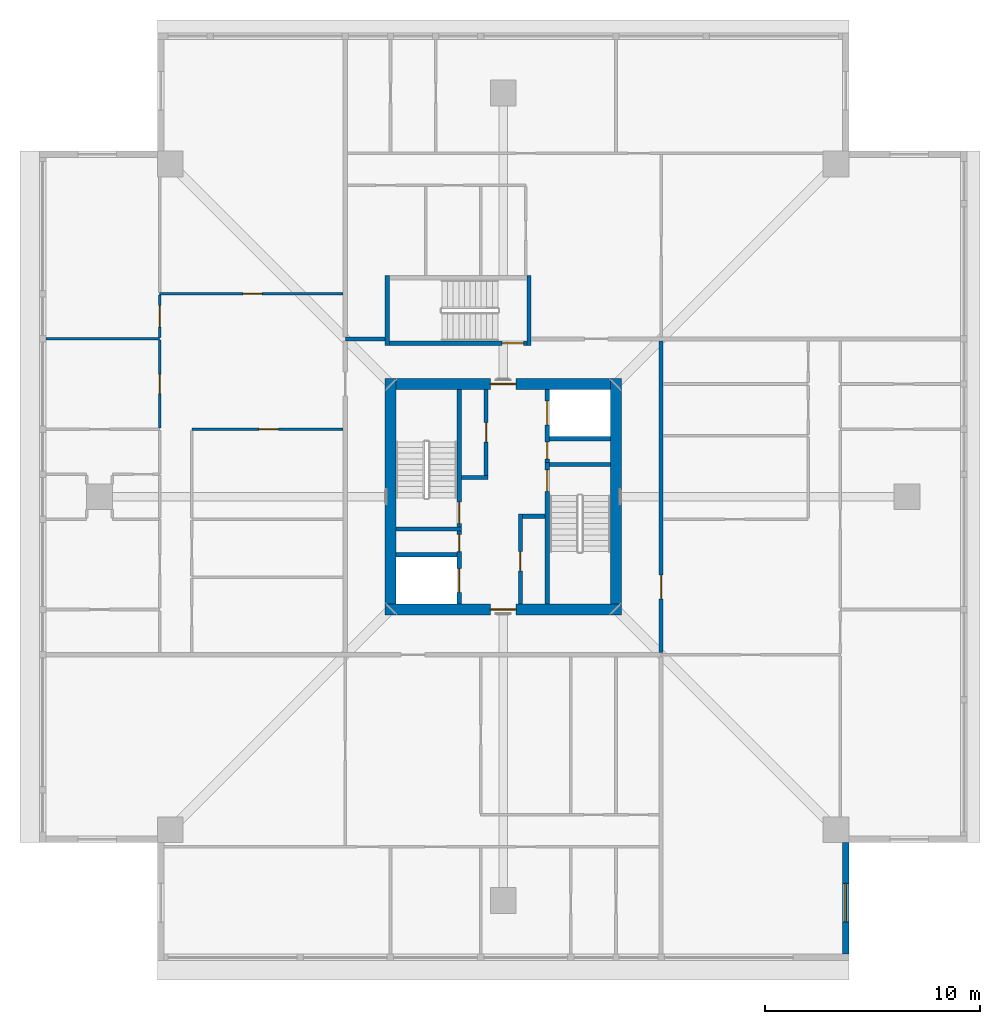
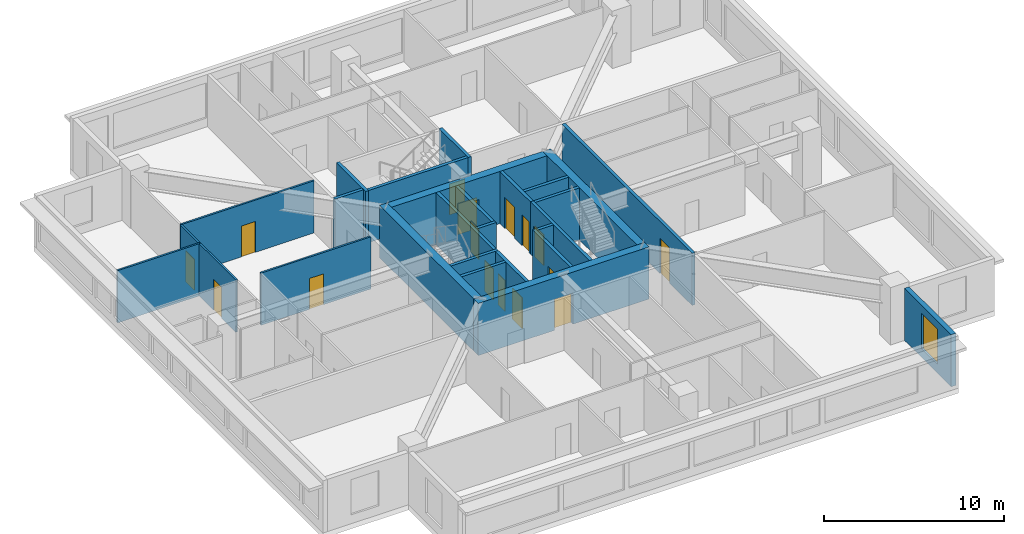
# One storey, part 6 of 12: 27 walls, 16 doors, 1 window, 17 openings.
"""IFC4 building model written with IfcOpenShell, lengths in metres."""

from ifc_helpers import new_model, si_unit, direction, frame, frame_2d, origin, place, context, subcontext, project, spatial, rectangle, extrude, material, layer, layer_set, type_object, element, fill, save


model = new_model("IFC4")

# Units and contexts
model_context = context("Model", 3, precision=1e-05, world=origin(), true_north=direction((0.0, 1.0)))
body_context = subcontext(model_context, "Body", "Model", "MODEL_VIEW")
ifc_project = project(units=[si_unit("LENGTHUNIT", "METRE"), si_unit("AREAUNIT", "SQUARE_METRE"), si_unit("VOLUMEUNIT", "CUBIC_METRE"), si_unit("PLANEANGLEUNIT", "RADIAN"), si_unit("MASSUNIT", "GRAM", prefix="KILO")], contexts=[model_context])

# Site, building, storey
site_placement = place(None, origin())
site = spatial("IfcSite", under=ifc_project, at=site_placement, CompositionType="ELEMENT")
building_placement = place(site_placement, origin())
building = spatial("IfcBuilding", under=site, at=building_placement, Name="Khepri Terraces", CompositionType="ELEMENT")
storey_placement = place(building_placement, frame((0.0, 0.0, 296.699951171875)))
storey = spatial("IfcBuildingStorey", under=building, at=storey_placement, Name="L71", CompositionType="ELEMENT", Elevation=296.699951171875)

# Wall, opening, door
ifc_material_1 = material(Name="Concrete C40/50", Category="concrete")
ifc_layer_1 = layer(ifc_material_1, 0.199951171875, Name="Concrete C40/50", Category="concrete")
ifc_layer_set_1 = layer_set([ifc_layer_1], Name="Concrete C40/50")
wall_type_1 = type_object("IfcWallType", Name="Core wall 200 C40/50", PredefinedType="SHEAR", material=ifc_layer_set_1)
wall_1_placement = place(storey_placement, frame((2.050048828125, -5.0, 0.0), z_axis=(0.0, 0.0, 1.0), x_axis=(0.0, 1.0, 0.0)))
wall_1 = element("IfcWall", 1, at=wall_1_placement, inside=storey, type_object=wall_type_1, Name="Core wall ST01 L71", PredefinedType="SHEAR", context=body_context, shape_type="SweptSolid", body=[
    extrude(rectangle(XDim=6.60009765625, YDim=0.199951171875, at=frame_2d((3.300048828125, 0.0))), origin(), (0.0, 0.0, 1.0), 3.550048828125),
])
opening_1_placement = place(wall_1_placement, frame((5.25, 0.0, 0.0)))
opening_1 = element("IfcOpeningElement", 2, at=opening_1_placement, cuts=wall_1, Name="Opening L71-C04", PredefinedType="OPENING", context=body_context, shape_type="SweptSolid", body=[
    extrude(rectangle(XDim=1.0, YDim=2.10009765625, at=frame_2d((0.5, 1.050048828125))), frame((0.0, 0.10986328125, 0.0), z_axis=(0.0, -1.0, 0.0), x_axis=(1.0, 0.0, 0.0)), (0.0, 0.0, 1.0), 0.219970703125),
])
ifc_material_2 = material(Name="Painted steel", Category="steel")
door_type_1 = type_object("IfcDoorType", Name="DR-CORE-STAIR-1000", OperationType="NOTDEFINED", PredefinedType="DOOR", material=ifc_material_2)
door_1_placement = place(opening_1_placement, frame((1.0, 0.0, 0.0), z_axis=(0.0, 0.0, 1.0), x_axis=(-1.0, 0.0, 0.0)))
door_1 = element("IfcDoor", 3, at=door_1_placement, inside=storey, type_object=door_type_1, Name="Stair door L71-C04", OperationType="SINGLE_SWING_LEFT", OverallHeight=2.10009765625, OverallWidth=1.0, PredefinedType="DOOR", context=body_context, shape_type="SweptSolid", body=[
    extrude(rectangle(XDim=1.0, YDim=2.10009765625, at=frame_2d((0.5, 1.050048828125))), frame((0.0, 0.02490234375, 0.0), z_axis=(0.0, -1.0, 0.0), x_axis=(1.0, 0.0, 0.0)), (0.0, 0.0, 1.0), 0.050048828125),
])
fill(opening_1, door_1)

# Wall
wall_2_placement = place(storey_placement, frame((-5.0, -1.5, 0.0), z_axis=(0.0, 0.0, 1.0), x_axis=(1.0, 0.0, 0.0)))
element("IfcWall", 4, at=wall_2_placement, inside=storey, type_object=wall_type_1, Name="Core wall ST02 L71", PredefinedType="SHEAR", context=body_context, shape_type="SweptSolid", body=[
    extrude(rectangle(XDim=3.050048828125, YDim=0.199951171875, at=frame_2d((1.52490234375, 0.0))), origin(), (0.0, 0.0, 1.0), 3.550048828125),
])

# Wall, opening, door
wall_3_placement = place(storey_placement, frame((-2.050048828125, -1.39990234375, 0.0), z_axis=(0.0, 0.0, 1.0), x_axis=(0.0, 1.0, 0.0)))
wall_3 = element("IfcWall", 5, at=wall_3_placement, inside=storey, type_object=wall_type_1, Name="Core wall ST03 L71", PredefinedType="SHEAR", context=body_context, shape_type="SweptSolid", body=[
    extrude(rectangle(XDim=6.39990234375, YDim=0.199951171875, at=frame_2d((3.199951171875, 0.0))), origin(), (0.0, 0.0, 1.0), 3.550048828125),
])
opening_2_placement = place(wall_3_placement, frame((0.14990234375, 0.0, 0.0)))
opening_2 = element("IfcOpeningElement", 6, at=opening_2_placement, cuts=wall_3, Name="Opening L71-C03", PredefinedType="OPENING", context=body_context, shape_type="SweptSolid", body=[
    extrude(rectangle(XDim=1.0, YDim=2.10009765625, at=frame_2d((0.5, 1.050048828125))), frame((0.0, 0.10986328125, 0.0), z_axis=(0.0, -1.0, 0.0), x_axis=(1.0, 0.0, 0.0)), (0.0, 0.0, 1.0), 0.219970703125),
])
door_2_placement = place(opening_2_placement, origin())
door_2 = element("IfcDoor", 7, at=door_2_placement, inside=storey, type_object=door_type_1, Name="Stair door L71-C03", OperationType="SINGLE_SWING_LEFT", OverallHeight=2.10009765625, OverallWidth=1.0, PredefinedType="DOOR", context=body_context, shape_type="SweptSolid", body=[
    extrude(rectangle(XDim=1.0, YDim=2.10009765625, at=frame_2d((0.5, 1.050048828125))), frame((0.0, 0.02490234375, 0.0), z_axis=(0.0, -1.0, 0.0), x_axis=(1.0, 0.0, 0.0)), (0.0, 0.0, 1.0), 0.050048828125),
])
fill(opening_2, door_2)

# Wall
wall_4_placement = place(storey_placement, frame((2.14990234375, 1.5, 0.0), z_axis=(0.0, 0.0, 1.0), x_axis=(1.0, 0.0, 0.0)))
element("IfcWall", 8, at=wall_4_placement, inside=storey, type_object=wall_type_1, Name="Core wall ST04 L71", PredefinedType="SHEAR", context=body_context, shape_type="SweptSolid", body=[
    extrude(rectangle(XDim=2.85009765625, YDim=0.199951171875, at=frame_2d((1.425048828125, 0.0))), origin(), (0.0, 0.0, 1.0), 3.550048828125),
])

# Wall, openings, doors
wall_5_placement = place(storey_placement, frame((-2.050048828125, -5.0, 0.0), z_axis=(0.0, 0.0, 1.0), x_axis=(0.0, 1.0, 0.0)))
wall_5 = element("IfcWall", 9, at=wall_5_placement, inside=storey, type_object=wall_type_1, Name="Core wall SH01 L71", PredefinedType="SHEAR", context=body_context, shape_type="SweptSolid", body=[
    extrude(rectangle(XDim=3.39990234375, YDim=0.199951171875, at=frame_2d((1.699951171875, 0.0))), origin(), (0.0, 0.0, 1.0), 3.550048828125),
])
opening_3_placement = place(wall_5_placement, frame((0.550048828125, 0.0, 0.0)))
opening_3 = element("IfcOpeningElement", 10, at=opening_3_placement, cuts=wall_5, Name="Opening L71-C02", PredefinedType="OPENING", context=body_context, shape_type="SweptSolid", body=[
    extrude(rectangle(XDim=1.10009765625, YDim=2.10009765625, at=frame_2d((0.550048828125, 1.050048828125))), frame((0.0, 0.10986328125, 0.0), z_axis=(0.0, -1.0, 0.0), x_axis=(1.0, 0.0, 0.0)), (0.0, 0.0, 1.0), 0.219970703125),
])
opening_4_placement = place(wall_5_placement, frame((2.449951171875, 0.0, 0.0)))
opening_4 = element("IfcOpeningElement", 11, at=opening_4_placement, cuts=wall_5, Name="Opening L71-C06", PredefinedType="OPENING", context=body_context, shape_type="SweptSolid", body=[
    extrude(rectangle(XDim=0.800048828125, YDim=2.10009765625, at=frame_2d((0.39990234375, 1.050048828125))), frame((0.0, 0.10986328125, 0.0), z_axis=(0.0, -1.0, 0.0), x_axis=(1.0, 0.0, 0.0)), (0.0, 0.0, 1.0), 0.219970703125),
])
ifc_material_3 = material(Name="Stainless steel 304", Category="steel")
door_type_2 = type_object("IfcDoorType", Name="DR-CORE-FF-LANDING-1100", OperationType="NOTDEFINED", PredefinedType="DOOR", material=ifc_material_3)
door_3_placement = place(opening_3_placement, origin())
door_3 = element("IfcDoor", 12, at=door_3_placement, inside=storey, type_object=door_type_2, Name="Firefighting lift landing door L71-C02", OperationType="SLIDING_TO_LEFT", OverallHeight=2.10009765625, OverallWidth=1.10009765625, PredefinedType="DOOR", context=body_context, shape_type="SweptSolid", body=[
    extrude(rectangle(XDim=1.10009765625, YDim=2.10009765625, at=frame_2d((0.550048828125, 1.050048828125))), frame((0.0, 0.02490234375, 0.0), z_axis=(0.0, -1.0, 0.0), x_axis=(1.0, 0.0, 0.0)), (0.0, 0.0, 1.0), 0.050048828125),
])
fill(opening_3, door_3)
door_type_3 = type_object("IfcDoorType", Name="DR-CORE-RISER-800", OperationType="NOTDEFINED", PredefinedType="DOOR", material=ifc_material_2)
door_4_placement = place(opening_4_placement, origin())
door_4 = element("IfcDoor", 13, at=door_4_placement, inside=storey, type_object=door_type_3, Name="Riser door L71-C06", OperationType="SINGLE_SWING_RIGHT", OverallHeight=2.10009765625, OverallWidth=0.800048828125, PredefinedType="DOOR", context=body_context, shape_type="SweptSolid", body=[
    extrude(rectangle(XDim=0.800048828125, YDim=2.10009765625, at=frame_2d((0.39990234375, 1.050048828125))), frame((0.0, 0.02490234375, 0.0), z_axis=(0.0, -1.0, 0.0), x_axis=(1.0, 0.0, 0.0)), (0.0, 0.0, 1.0), 0.050048828125),
])
fill(opening_4, door_4)

# Wall, opening, door
wall_6_placement = place(storey_placement, frame((0.800048828125, -5.0, 0.0), z_axis=(0.0, 0.0, 1.0), x_axis=(0.0, 1.0, 0.0)))
wall_6 = element("IfcWall", 14, at=wall_6_placement, inside=storey, type_object=wall_type_1, Name="Core wall SH02 L71", PredefinedType="SHEAR", context=body_context, shape_type="SweptSolid", body=[
    extrude(rectangle(XDim=4.199951171875, YDim=0.199951171875, at=frame_2d((2.10009765625, 0.0))), origin(), (0.0, 0.0, 1.0), 3.550048828125),
])
opening_5_placement = place(wall_6_placement, frame((1.550048828125, 0.0, 0.0)))
opening_5 = element("IfcOpeningElement", 15, at=opening_5_placement, cuts=wall_6, Name="Opening L71-C09", PredefinedType="OPENING", context=body_context, shape_type="SweptSolid", body=[
    extrude(rectangle(XDim=0.89990234375, YDim=2.10009765625, at=frame_2d((0.449951171875, 1.050048828125))), frame((0.0, 0.10986328125, 0.0), z_axis=(0.0, -1.0, 0.0), x_axis=(1.0, 0.0, 0.0)), (0.0, 0.0, 1.0), 0.219970703125),
])
door_type_4 = type_object("IfcDoorType", Name="DR-CORE-SERVICE-900", OperationType="NOTDEFINED", PredefinedType="DOOR", material=ifc_material_2)
door_5_placement = place(opening_5_placement, frame((0.89990234375, 0.0, 0.0), z_axis=(0.0, 0.0, 1.0), x_axis=(-1.0, 0.0, 0.0)))
door_5 = element("IfcDoor", 16, at=door_5_placement, inside=storey, type_object=door_type_4, Name="Service room door L71-C09", OperationType="SINGLE_SWING_RIGHT", OverallHeight=2.10009765625, OverallWidth=0.89990234375, PredefinedType="DOOR", context=body_context, shape_type="SweptSolid", body=[
    extrude(rectangle(XDim=0.89990234375, YDim=2.10009765625, at=frame_2d((0.449951171875, 1.050048828125))), frame((0.0, 0.02490234375, 0.0), z_axis=(0.0, -1.0, 0.0), x_axis=(1.0, 0.0, 0.0)), (0.0, 0.0, 1.0), 0.050048828125),
])
fill(opening_5, door_5)

# Walls
wall_7_placement = place(storey_placement, frame((-5.0, -2.699951171875, 0.0), z_axis=(0.0, 0.0, 1.0), x_axis=(1.0, 0.0, 0.0)))
element("IfcWall", 17, at=wall_7_placement, inside=storey, type_object=wall_type_1, Name="Core wall SH03 L71", PredefinedType="SHEAR", context=body_context, shape_type="SweptSolid", body=[
    extrude(rectangle(XDim=2.85009765625, YDim=0.199951171875, at=frame_2d((1.425048828125, 0.0))), origin(), (0.0, 0.0, 1.0), 3.550048828125),
])
wall_8_placement = place(storey_placement, frame((0.89990234375, -0.89990234375, 0.0), z_axis=(0.0, 0.0, 1.0), x_axis=(1.0, 0.0, 0.0)))
element("IfcWall", 18, at=wall_8_placement, inside=storey, type_object=wall_type_1, Name="Core wall SH04 L71", PredefinedType="SHEAR", context=body_context, shape_type="SweptSolid", body=[
    extrude(rectangle(XDim=1.050048828125, YDim=0.199951171875, at=frame_2d((0.52490234375, 0.0))), origin(), (0.0, 0.0, 1.0), 3.550048828125),
])
wall_9_placement = place(storey_placement, frame((-1.949951171875, 0.89990234375, 0.0), z_axis=(0.0, 0.0, 1.0), x_axis=(1.0, 0.0, 0.0)))
element("IfcWall", 19, at=wall_9_placement, inside=storey, type_object=wall_type_1, Name="Core wall SH05 L71", PredefinedType="SHEAR", context=body_context, shape_type="SweptSolid", body=[
    extrude(rectangle(XDim=1.25, YDim=0.199951171875, at=frame_2d((0.625, 0.0))), origin(), (0.0, 0.0, 1.0), 3.550048828125),
])

# Wall, opening, door
wall_10_placement = place(storey_placement, frame((-0.800048828125, 1.0, 0.0), z_axis=(0.0, 0.0, 1.0), x_axis=(0.0, 1.0, 0.0)))
wall_10 = element("IfcWall", 20, at=wall_10_placement, inside=storey, type_object=wall_type_1, Name="Core wall SH06 L71", PredefinedType="SHEAR", context=body_context, shape_type="SweptSolid", body=[
    extrude(rectangle(XDim=4.0, YDim=0.199951171875, at=frame_2d((2.0, 0.0))), origin(), (0.0, 0.0, 1.0), 3.550048828125),
])
opening_6_placement = place(wall_10_placement, frame((1.550048828125, 0.0, 0.0)))
opening_6 = element("IfcOpeningElement", 21, at=opening_6_placement, cuts=wall_10, Name="Opening L71-C08", PredefinedType="OPENING", context=body_context, shape_type="SweptSolid", body=[
    extrude(rectangle(XDim=0.89990234375, YDim=2.10009765625, at=frame_2d((0.449951171875, 1.050048828125))), frame((0.0, 0.10986328125, 0.0), z_axis=(0.0, -1.0, 0.0), x_axis=(1.0, 0.0, 0.0)), (0.0, 0.0, 1.0), 0.219970703125),
])
door_6_placement = place(opening_6_placement, origin())
door_6 = element("IfcDoor", 22, at=door_6_placement, inside=storey, type_object=door_type_4, Name="Service room door L71-C08", OperationType="SINGLE_SWING_RIGHT", OverallHeight=2.10009765625, OverallWidth=0.89990234375, PredefinedType="DOOR", context=body_context, shape_type="SweptSolid", body=[
    extrude(rectangle(XDim=0.89990234375, YDim=2.10009765625, at=frame_2d((0.449951171875, 1.050048828125))), frame((0.0, 0.02490234375, 0.0), z_axis=(0.0, -1.0, 0.0), x_axis=(1.0, 0.0, 0.0)), (0.0, 0.0, 1.0), 0.050048828125),
])
fill(opening_6, door_6)

# Wall, openings, doors
wall_11_placement = place(storey_placement, frame((2.050048828125, 1.60009765625, 0.0), z_axis=(0.0, 0.0, 1.0), x_axis=(0.0, 1.0, 0.0)))
wall_11 = element("IfcWall", 23, at=wall_11_placement, inside=storey, type_object=wall_type_1, Name="Core wall SH07 L71", PredefinedType="SHEAR", context=body_context, shape_type="SweptSolid", body=[
    extrude(rectangle(XDim=3.39990234375, YDim=0.199951171875, at=frame_2d((1.699951171875, 0.0))), origin(), (0.0, 0.0, 1.0), 3.550048828125),
])
opening_7_placement = place(wall_11_placement, frame((1.75, 0.0, 0.0)))
opening_7 = element("IfcOpeningElement", 24, at=opening_7_placement, cuts=wall_11, Name="Opening L71-C01", PredefinedType="OPENING", context=body_context, shape_type="SweptSolid", body=[
    extrude(rectangle(XDim=1.10009765625, YDim=2.10009765625, at=frame_2d((0.550048828125, 1.050048828125))), frame((0.0, 0.10986328125, 0.0), z_axis=(0.0, -1.0, 0.0), x_axis=(1.0, 0.0, 0.0)), (0.0, 0.0, 1.0), 0.219970703125),
])
opening_8_placement = place(wall_11_placement, frame((0.14990234375, 0.0, 0.0)))
opening_8 = element("IfcOpeningElement", 25, at=opening_8_placement, cuts=wall_11, Name="Opening L71-C05", PredefinedType="OPENING", context=body_context, shape_type="SweptSolid", body=[
    extrude(rectangle(XDim=0.800048828125, YDim=2.10009765625, at=frame_2d((0.39990234375, 1.050048828125))), frame((0.0, 0.10986328125, 0.0), z_axis=(0.0, -1.0, 0.0), x_axis=(1.0, 0.0, 0.0)), (0.0, 0.0, 1.0), 0.219970703125),
])
door_7_placement = place(opening_7_placement, origin())
door_7 = element("IfcDoor", 26, at=door_7_placement, inside=storey, type_object=door_type_2, Name="Firefighting lift landing door L71-C01", OperationType="SLIDING_TO_LEFT", OverallHeight=2.10009765625, OverallWidth=1.10009765625, PredefinedType="DOOR", context=body_context, shape_type="SweptSolid", body=[
    extrude(rectangle(XDim=1.10009765625, YDim=2.10009765625, at=frame_2d((0.550048828125, 1.050048828125))), frame((0.0, 0.02490234375, 0.0), z_axis=(0.0, -1.0, 0.0), x_axis=(1.0, 0.0, 0.0)), (0.0, 0.0, 1.0), 0.050048828125),
])
fill(opening_7, door_7)
door_8_placement = place(opening_8_placement, frame((0.800048828125, 0.0, 0.0), z_axis=(0.0, 0.0, 1.0), x_axis=(-1.0, 0.0, 0.0)))
door_8 = element("IfcDoor", 27, at=door_8_placement, inside=storey, type_object=door_type_3, Name="Riser door L71-C05", OperationType="SINGLE_SWING_RIGHT", OverallHeight=2.10009765625, OverallWidth=0.800048828125, PredefinedType="DOOR", context=body_context, shape_type="SweptSolid", body=[
    extrude(rectangle(XDim=0.800048828125, YDim=2.10009765625, at=frame_2d((0.39990234375, 1.050048828125))), frame((0.0, 0.02490234375, 0.0), z_axis=(0.0, -1.0, 0.0), x_axis=(1.0, 0.0, 0.0)), (0.0, 0.0, 1.0), 0.050048828125),
])
fill(opening_8, door_8)

# Walls
wall_12_placement = place(storey_placement, frame((2.14990234375, 2.699951171875, 0.0), z_axis=(0.0, 0.0, 1.0), x_axis=(1.0, 0.0, 0.0)))
element("IfcWall", 28, at=wall_12_placement, inside=storey, type_object=wall_type_1, Name="Core wall SH08 L71", PredefinedType="SHEAR", context=body_context, shape_type="SweptSolid", body=[
    extrude(rectangle(XDim=2.85009765625, YDim=0.199951171875, at=frame_2d((1.425048828125, 0.0))), origin(), (0.0, 0.0, 1.0), 3.550048828125),
])
for number, where, z_axis, x_axis, name in (
    (29, (-5.39990234375, 7.050048828125, 0.0), (0.0, 0.0, 1.0), (0.0, 1.0, 0.0), "Core wall S3W L71"),
    (30, (1.199951171875, 7.050048828125, 0.0), (0.0, 0.0, 1.0), (0.0, 1.0, 0.0), "Core wall S3E L71"),
):
    element("IfcWall", number, at=place(storey_placement, frame(where, z_axis=z_axis, x_axis=x_axis)), inside=storey, type_object=wall_type_1, Name=name, PredefinedType="SHEAR", context=body_context, shape_type="SweptSolid", body=[
        extrude(rectangle(XDim=3.25, YDim=0.199951171875, at=frame_2d((1.625, 0.0))), origin(), (0.0, 0.0, 1.0), 3.550048828125),
    ])

# Wall, opening, door
wall_13_placement = place(storey_placement, frame((-5.300048828125, 7.14990234375, 0.0), z_axis=(0.0, 0.0, 1.0), x_axis=(1.0, 0.0, 0.0)))
wall_13 = element("IfcWall", 31, at=wall_13_placement, inside=storey, type_object=wall_type_1, Name="Core wall S3S L71", PredefinedType="SHEAR", context=body_context, shape_type="SweptSolid", body=[
    extrude(rectangle(XDim=6.400146484375, YDim=0.199951171875, at=frame_2d((3.2001953125, 0.0))), origin(), (0.0, 0.0, 1.0), 3.550048828125),
])
opening_9_placement = place(wall_13_placement, frame((5.25, 0.0, 0.0)))
opening_9 = element("IfcOpeningElement", 32, at=opening_9_placement, cuts=wall_13, Name="Opening L71-C07", PredefinedType="OPENING", context=body_context, shape_type="SweptSolid", body=[
    extrude(rectangle(XDim=1.0, YDim=2.10009765625, at=frame_2d((0.5, 1.050048828125))), frame((0.0, 0.10986328125, 0.0), z_axis=(0.0, -1.0, 0.0), x_axis=(1.0, 0.0, 0.0)), (0.0, 0.0, 1.0), 0.219970703125),
])
door_9_placement = place(opening_9_placement, origin())
door_9 = element("IfcDoor", 33, at=door_9_placement, inside=storey, type_object=door_type_1, Name="Stair door L71-C07", OperationType="SINGLE_SWING_RIGHT", OverallHeight=2.10009765625, OverallWidth=1.0, PredefinedType="DOOR", context=body_context, shape_type="SweptSolid", body=[
    extrude(rectangle(XDim=1.0, YDim=2.10009765625, at=frame_2d((0.5, 1.050048828125))), frame((0.0, 0.02490234375, 0.0), z_axis=(0.0, -1.0, 0.0), x_axis=(1.0, 0.0, 0.0)), (0.0, 0.0, 1.0), 0.050048828125),
])
fill(opening_9, door_9)

ifc_layer_2 = layer(ifc_material_1, 0.5, Name="Concrete C40/50", Category="concrete")
ifc_layer_set_2 = layer_set([ifc_layer_2], Name="Concrete C40/50")
wall_type_2 = type_object("IfcWallType", Name="Core wall 500 C40/50", PredefinedType="SHEAR", material=ifc_layer_set_2)
wall_14_placement = place(storey_placement, frame((-5.5, -5.25, 0.0), z_axis=(0.0, 0.0, 1.0), x_axis=(1.0, 0.0, 0.0)))
wall_14 = element("IfcWall", 34, at=wall_14_placement, inside=storey, type_object=wall_type_2, Name="Core wall BX01 L71", PredefinedType="SHEAR", context=body_context, shape_type="SweptSolid", body=[
    extrude(rectangle(XDim=11.0, YDim=0.5, at=frame_2d((5.5, 0.0))), origin(), (0.0, 0.0, 1.0), 3.550048828125),
])
opening_10_placement = place(wall_14_placement, frame((4.89990234375, 0.0, 0.0)))
opening_10 = element("IfcOpeningElement", 35, at=opening_10_placement, cuts=wall_14, Name="Opening L71-C11", PredefinedType="OPENING", context=body_context, shape_type="SweptSolid", body=[
    extrude(rectangle(XDim=1.199951171875, YDim=2.10009765625, at=frame_2d((0.60009765625, 1.050048828125))), frame((0.0, 0.260009765625, 0.0), z_axis=(0.0, -1.0, 0.0), x_axis=(1.0, 0.0, 0.0)), (0.0, 0.0, 1.0), 0.52001953125),
])
door_type_5 = type_object("IfcDoorType", Name="DR-CORE-FF-LOBBY-1200", OperationType="NOTDEFINED", PredefinedType="DOOR", material=ifc_material_2)
door_10_placement = place(opening_10_placement, frame((1.199951171875, 0.0, 0.0), z_axis=(0.0, 0.0, 1.0), x_axis=(-1.0, 0.0, 0.0)))
door_10 = element("IfcDoor", 36, at=door_10_placement, inside=storey, type_object=door_type_5, Name="Firefighting lobby door L71-C11", OperationType="SINGLE_SWING_LEFT", OverallHeight=2.10009765625, OverallWidth=1.199951171875, PredefinedType="DOOR", context=body_context, shape_type="SweptSolid", body=[
    extrude(rectangle(XDim=1.199951171875, YDim=2.10009765625, at=frame_2d((0.60009765625, 1.050048828125))), frame((0.0, 0.02490234375, 0.0), z_axis=(0.0, -1.0, 0.0), x_axis=(1.0, 0.0, 0.0)), (0.0, 0.0, 1.0), 0.050048828125),
])
fill(opening_10, door_10)

# Walls
for number, where, z_axis, x_axis, name in (
    (37, (-5.25, -5.0, 0.0), (0.0, 0.0, 1.0), (0.0, 1.0, 0.0), "Core wall BX02 L71"),
    (38, (5.25, -5.0, 0.0), (0.0, 0.0, 1.0), (0.0, 1.0, 0.0), "Core wall BX03 L71"),
):
    element("IfcWall", number, at=place(storey_placement, frame(where, z_axis=z_axis, x_axis=x_axis)), inside=storey, type_object=wall_type_2, Name=name, PredefinedType="SHEAR", context=body_context, shape_type="SweptSolid", body=[
        extrude(rectangle(XDim=10.5, YDim=0.5, at=frame_2d((5.25, 0.0))), origin(), (0.0, 0.0, 1.0), 3.550048828125),
    ])

# Wall, opening, door
wall_15_placement = place(storey_placement, frame((-5.0, 5.25, 0.0), z_axis=(0.0, 0.0, 1.0), x_axis=(1.0, 0.0, 0.0)))
wall_15 = element("IfcWall", 39, at=wall_15_placement, inside=storey, type_object=wall_type_2, Name="Core wall BX04 L71", PredefinedType="SHEAR", context=body_context, shape_type="SweptSolid", body=[
    extrude(rectangle(XDim=10.0, YDim=0.5, at=frame_2d((5.0, 0.0))), origin(), (0.0, 0.0, 1.0), 3.550048828125),
])
opening_11_placement = place(wall_15_placement, frame((4.39990234375, 0.0, 0.0)))
opening_11 = element("IfcOpeningElement", 40, at=opening_11_placement, cuts=wall_15, Name="Opening L71-C10", PredefinedType="OPENING", context=body_context, shape_type="SweptSolid", body=[
    extrude(rectangle(XDim=1.199951171875, YDim=2.10009765625, at=frame_2d((0.60009765625, 1.050048828125))), frame((0.0, 0.260009765625, 0.0), z_axis=(0.0, -1.0, 0.0), x_axis=(1.0, 0.0, 0.0)), (0.0, 0.0, 1.0), 0.52001953125),
])
door_11_placement = place(opening_11_placement, origin())
door_11 = element("IfcDoor", 41, at=door_11_placement, inside=storey, type_object=door_type_5, Name="Firefighting lobby door L71-C10", OperationType="SINGLE_SWING_RIGHT", OverallHeight=2.10009765625, OverallWidth=1.199951171875, PredefinedType="DOOR", context=body_context, shape_type="SweptSolid", body=[
    extrude(rectangle(XDim=1.199951171875, YDim=2.10009765625, at=frame_2d((0.60009765625, 1.050048828125))), frame((0.0, 0.02490234375, 0.0), z_axis=(0.0, -1.0, 0.0), x_axis=(1.0, 0.0, 0.0)), (0.0, 0.0, 1.0), 0.050048828125),
])
fill(opening_11, door_11)

ifc_material_4 = material(Name="Fire-rated gypsum plasterboard partition, mineral wool")
ifc_layer_3 = layer(ifc_material_4, 0.199951171875, Name="Fire-rated gypsum plasterboard partition, mineral wool")
ifc_layer_set_3 = layer_set([ifc_layer_3], Name="Fire-rated gypsum plasterboard partition, mineral wool")
wall_type_3 = type_object("IfcWallType", Name="WL-CORR-200", PredefinedType="PARTITIONING", material=ifc_layer_set_3)
wall_16_placement = place(storey_placement, frame((7.35009765625, -7.25, 0.0), z_axis=(0.0, 0.0, 1.0), x_axis=(0.0, 1.0, 0.0)))
wall_16 = element("IfcWall", 42, at=wall_16_placement, inside=storey, type_object=wall_type_3, Name="Partition P-019 L71", PredefinedType="PARTITIONING", context=body_context, shape_type="SweptSolid", body=[
    extrude(rectangle(XDim=14.5, YDim=0.199951171875, at=frame_2d((7.25, 0.0))), origin(), (0.0, 0.0, 1.0), 3.550048828125),
])
opening_12_placement = place(wall_16_placement, frame((2.5, 0.0, 0.0)))
opening_12 = element("IfcOpeningElement", 43, at=opening_12_placement, cuts=wall_16, Name="Opening D1", PredefinedType="OPENING", context=body_context, shape_type="SweptSolid", body=[
    extrude(rectangle(XDim=1.10009765625, YDim=2.39990234375, at=frame_2d((0.550048828125, 1.199951171875))), frame((0.0, 0.10986328125, 0.0), z_axis=(0.0, -1.0, 0.0), x_axis=(1.0, 0.0, 0.0)), (0.0, 0.0, 1.0), 0.219970703125),
])
ifc_material_5 = material(Name="Solid-core timber door leaf, flat entrance door", Category="wood")
door_type_6 = type_object("IfcDoorType", Name="DR-ENT-1100", OperationType="NOTDEFINED", PredefinedType="DOOR", material=ifc_material_5)
door_12_placement = place(opening_12_placement, frame((1.10009765625, 0.0, 0.0), z_axis=(0.0, 0.0, 1.0), x_axis=(-1.0, 0.0, 0.0)))
door_12 = element("IfcDoor", 44, at=door_12_placement, inside=storey, type_object=door_type_6, Name="Flat B1 entrance door", OperationType="SINGLE_SWING_RIGHT", OverallHeight=2.39990234375, OverallWidth=1.10009765625, PredefinedType="DOOR", context=body_context, shape_type="SweptSolid", body=[
    extrude(rectangle(XDim=1.10009765625, YDim=2.39990234375, at=frame_2d((0.550048828125, 1.199951171875))), frame((0.0, 0.02490234375, 0.0), z_axis=(0.0, -1.0, 0.0), x_axis=(1.0, 0.0, 0.0)), (0.0, 0.0, 1.0), 0.050048828125),
])
fill(opening_12, door_12)

# Wall
wall_17_placement = place(storey_placement, frame((-7.35009765625, 7.35009765625, 0.0), z_axis=(0.0, 0.0, 1.0), x_axis=(1.0, 0.0, 0.0)))
element("IfcWall", 45, at=wall_17_placement, inside=storey, type_object=wall_type_3, Name="Partition P-052 L71", PredefinedType="PARTITIONING", context=body_context, shape_type="SweptSolid", body=[
    extrude(rectangle(XDim=1.85009765625, YDim=0.199951171875, at=frame_2d((0.925048828125, 0.0))), origin(), (0.0, 0.0, 1.0), 3.550048828125),
])

# Wall, opening, window
ifc_material_6 = material(Name="Precast concrete C50/60 warm stone", Category="masonry")
ifc_layer_4 = layer(ifc_material_6, 0.300048828125, Name="Precast concrete C50/60 warm stone", Category="masonry")
ifc_layer_set_4 = layer_set([ifc_layer_4], Name="Precast concrete C50/60 warm stone")
wall_type_4 = type_object("IfcWallType", Name="WL-EXT-PRECAST-300", PredefinedType="STANDARD", material=ifc_layer_set_4)
wall_18_placement = place(storey_placement, frame((15.949951171875, -21.300048828125, 0.0), z_axis=(0.0, 0.0, 1.0), x_axis=(0.0, 1.0, 0.0)))
wall_18 = element("IfcWall", 46, at=wall_18_placement, inside=storey, type_object=wall_type_4, Name="External wall L71 E", PredefinedType="STANDARD", context=body_context, shape_type="SweptSolid", body=[
    extrude(rectangle(XDim=5.199951171875, YDim=0.300048828125, at=frame_2d((2.60009765625, 0.0))), origin(), (0.0, 0.0, 1.0), 3.550048828125),
])
opening_13_placement = place(wall_18_placement, frame((1.5, 0.0, 0.60009765625)))
opening_13 = element("IfcOpeningElement", 47, at=opening_13_placement, cuts=wall_18, Name="Opening WC1", PredefinedType="OPENING", context=body_context, shape_type="SweptSolid", body=[
    extrude(rectangle(XDim=1.800048828125, YDim=2.39990234375, at=frame_2d((0.89990234375, 1.199951171875))), frame((0.0, 0.16015625, 0.0), z_axis=(0.0, -1.0, 0.0), x_axis=(1.0, 0.0, 0.0)), (0.0, 0.0, 1.0), 0.320068359375),
])
ifc_material_7 = material(Name="Clear glass", Category="glass")
window_type = type_object("IfcWindowType", Name="WIN-CRN-1800x2400", PartitioningType="SINGLE_PANEL", PredefinedType="WINDOW", material=ifc_material_7)
window_placement = place(opening_13_placement, origin())
window = element("IfcWindow", 48, at=window_placement, inside=storey, type_object=window_type, Name="Window L71 E", OverallHeight=2.39990234375, OverallWidth=1.800048828125, PartitioningType="SINGLE_PANEL", PredefinedType="WINDOW", context=body_context, shape_type="SweptSolid", body=[
    extrude(rectangle(XDim=1.800048828125, YDim=2.39990234375, at=frame_2d((0.89990234375, 1.199951171875))), frame((0.0, 0.030029296875, 0.0), z_axis=(0.0, -1.0, 0.0), x_axis=(1.0, 0.0, 0.0)), (0.0, 0.0, 1.0), 0.06005859375),
])
fill(opening_13, window)

# Wall, opening, door
ifc_material_8 = material(Name="Gypsum plasterboard partition")
ifc_layer_5 = layer(ifc_material_8, 0.1201171875, Name="Gypsum plasterboard partition")
ifc_layer_set_5 = layer_set([ifc_layer_5], Name="Gypsum plasterboard partition")
wall_type_5 = type_object("IfcWallType", Name="WL-PART-120", PredefinedType="PARTITIONING", material=ifc_layer_set_5)
wall_19_placement = place(storey_placement, frame((-14.5, 3.14990234375, 0.0), z_axis=(0.0, 0.0, 1.0), x_axis=(1.0, 0.0, 0.0)))
wall_19 = element("IfcWall", 49, at=wall_19_placement, inside=storey, type_object=wall_type_5, Name="Partition P-043 L71", PredefinedType="PARTITIONING", context=body_context, shape_type="SweptSolid", body=[
    extrude(rectangle(XDim=7.050048828125, YDim=0.1201171875, at=frame_2d((3.52490234375, 0.0))), origin(), (0.0, 0.0, 1.0), 3.550048828125),
])
opening_14_placement = place(wall_19_placement, frame((3.125, 0.0, 0.0)))
opening_14 = element("IfcOpeningElement", 50, at=opening_14_placement, cuts=wall_19, Name="Opening D3", PredefinedType="OPENING", context=body_context, shape_type="SweptSolid", body=[
    extrude(rectangle(XDim=0.89990234375, YDim=2.10009765625, at=frame_2d((0.449951171875, 1.050048828125))), frame((0.0, 0.070068359375, 0.0), z_axis=(0.0, -1.0, 0.0), x_axis=(1.0, 0.0, 0.0)), (0.0, 0.0, 1.0), 0.14013671875),
])
ifc_material_9 = material(Name="Timber door leaf", Category="wood")
door_type_7 = type_object("IfcDoorType", Name="DR-INT-900", OperationType="NOTDEFINED", PredefinedType="DOOR", material=ifc_material_9)
door_13_placement = place(opening_14_placement, frame((0.89990234375, 0.0, 0.0), z_axis=(0.0, 0.0, 1.0), x_axis=(-1.0, 0.0, 0.0)))
door_13 = element("IfcDoor", 51, at=door_13_placement, inside=storey, type_object=door_type_7, Name="Door Kitchen", OperationType="SINGLE_SWING_LEFT", OverallHeight=2.10009765625, OverallWidth=0.89990234375, PredefinedType="DOOR", context=body_context, shape_type="SweptSolid", body=[
    extrude(rectangle(XDim=0.89990234375, YDim=2.10009765625, at=frame_2d((0.449951171875, 1.050048828125))), frame((0.0, 0.02490234375, 0.0), z_axis=(0.0, -1.0, 0.0), x_axis=(1.0, 0.0, 0.0)), (0.0, 0.0, 1.0), 0.050048828125),
])
fill(opening_14, door_13)

wall_20_placement = place(storey_placement, frame((-16.0, 3.2099609375, 0.0), z_axis=(0.0, 0.0, 1.0), x_axis=(0.0, 1.0, 0.0)))
wall_20 = element("IfcWall", 52, at=wall_20_placement, inside=storey, type_object=wall_type_5, Name="Partition P-045 L71", PredefinedType="PARTITIONING", context=body_context, shape_type="SweptSolid", body=[
    extrude(rectangle(XDim=4.080078125, YDim=0.1201171875, at=frame_2d((2.0400390625, 0.0))), origin(), (0.0, 0.0, 1.0), 3.550048828125),
])
opening_15_placement = place(wall_20_placement, frame((1.590087890625, 0.0, 0.0)))
opening_15 = element("IfcOpeningElement", 53, at=opening_15_placement, cuts=wall_20, Name="Opening D3", PredefinedType="OPENING", context=body_context, shape_type="SweptSolid", body=[
    extrude(rectangle(XDim=0.89990234375, YDim=2.10009765625, at=frame_2d((0.449951171875, 1.050048828125))), frame((0.0, 0.070068359375, 0.0), z_axis=(0.0, -1.0, 0.0), x_axis=(1.0, 0.0, 0.0)), (0.0, 0.0, 1.0), 0.14013671875),
])
door_14_placement = place(opening_15_placement, origin())
door_14 = element("IfcDoor", 54, at=door_14_placement, inside=storey, type_object=door_type_7, Name="Door Master Bedroom", OperationType="SINGLE_SWING_RIGHT", OverallHeight=2.10009765625, OverallWidth=0.89990234375, PredefinedType="DOOR", context=body_context, shape_type="SweptSolid", body=[
    extrude(rectangle(XDim=0.89990234375, YDim=2.10009765625, at=frame_2d((0.449951171875, 1.050048828125))), frame((0.0, 0.02490234375, 0.0), z_axis=(0.0, -1.0, 0.0), x_axis=(1.0, 0.0, 0.0)), (0.0, 0.0, 1.0), 0.050048828125),
])
fill(opening_15, door_14)

# Wall
wall_21_placement = place(storey_placement, frame((-21.300048828125, 7.35009765625, 0.0), z_axis=(0.0, 0.0, 1.0), x_axis=(1.0, 0.0, 0.0)))
element("IfcWall", 55, at=wall_21_placement, inside=storey, type_object=wall_type_5, Name="Partition P-051 L71", PredefinedType="PARTITIONING", context=body_context, shape_type="SweptSolid", body=[
    extrude(rectangle(XDim=5.300048828125, YDim=0.1201171875, at=frame_2d((2.64990234375, 0.0))), origin(), (0.0, 0.0, 1.0), 3.550048828125),
])

# Wall, opening, door
wall_22_placement = place(storey_placement, frame((-16.0, 7.409912109375, 0.0), z_axis=(0.0, 0.0, 1.0), x_axis=(0.0, 1.0, 0.0)))
wall_22 = element("IfcWall", 56, at=wall_22_placement, inside=storey, type_object=wall_type_5, Name="Partition P-054 L71", PredefinedType="PARTITIONING", context=body_context, shape_type="SweptSolid", body=[
    extrude(rectangle(XDim=1.97998046875, YDim=0.1201171875, at=frame_2d((0.989990234375, 0.0))), origin(), (0.0, 0.0, 1.0), 3.550048828125),
])
opening_16_placement = place(wall_22_placement, frame((0.489990234375, 0.0, 0.0)))
opening_16 = element("IfcOpeningElement", 57, at=opening_16_placement, cuts=wall_22, Name="Opening D2", PredefinedType="OPENING", context=body_context, shape_type="SweptSolid", body=[
    extrude(rectangle(XDim=1.0, YDim=2.10009765625, at=frame_2d((0.5, 1.050048828125))), frame((0.0, 0.070068359375, 0.0), z_axis=(0.0, -1.0, 0.0), x_axis=(1.0, 0.0, 0.0)), (0.0, 0.0, 1.0), 0.14013671875),
])
ifc_material_10 = material(Name="Timber door leaf, living room door", Category="wood")
door_type_8 = type_object("IfcDoorType", Name="DR-INT-1000", OperationType="NOTDEFINED", PredefinedType="DOOR", material=ifc_material_10)
door_15_placement = place(opening_16_placement, origin())
door_15 = element("IfcDoor", 58, at=door_15_placement, inside=storey, type_object=door_type_8, Name="Door Living Room", OperationType="SINGLE_SWING_LEFT", OverallHeight=2.10009765625, OverallWidth=1.0, PredefinedType="DOOR", context=body_context, shape_type="SweptSolid", body=[
    extrude(rectangle(XDim=1.0, YDim=2.10009765625, at=frame_2d((0.5, 1.050048828125))), frame((0.0, 0.02490234375, 0.0), z_axis=(0.0, -1.0, 0.0), x_axis=(1.0, 0.0, 0.0)), (0.0, 0.0, 1.0), 0.050048828125),
])
fill(opening_16, door_15)

wall_23_placement = place(storey_placement, frame((-16.0, 9.449951171875, 0.0), z_axis=(0.0, 0.0, 1.0), x_axis=(1.0, 0.0, 0.0)))
wall_23 = element("IfcWall", 59, at=wall_23_placement, inside=storey, type_object=wall_type_5, Name="Partition P-057 L71", PredefinedType="PARTITIONING", context=body_context, shape_type="SweptSolid", body=[
    extrude(rectangle(XDim=8.550048828125, YDim=0.1201171875, at=frame_2d((4.27490234375, 0.0))), origin(), (0.0, 0.0, 1.0), 3.550048828125),
])
opening_17_placement = place(wall_23_placement, frame((3.875, 0.0, 0.0)))
opening_17 = element("IfcOpeningElement", 60, at=opening_17_placement, cuts=wall_23, Name="Opening D3", PredefinedType="OPENING", context=body_context, shape_type="SweptSolid", body=[
    extrude(rectangle(XDim=0.89990234375, YDim=2.10009765625, at=frame_2d((0.449951171875, 1.050048828125))), frame((0.0, 0.070068359375, 0.0), z_axis=(0.0, -1.0, 0.0), x_axis=(1.0, 0.0, 0.0)), (0.0, 0.0, 1.0), 0.14013671875),
])
door_16_placement = place(opening_17_placement, origin())
door_16 = element("IfcDoor", 61, at=door_16_placement, inside=storey, type_object=door_type_7, Name="Door Home Cinema", OperationType="SINGLE_SWING_RIGHT", OverallHeight=2.10009765625, OverallWidth=0.89990234375, PredefinedType="DOOR", context=body_context, shape_type="SweptSolid", body=[
    extrude(rectangle(XDim=0.89990234375, YDim=2.10009765625, at=frame_2d((0.449951171875, 1.050048828125))), frame((0.0, 0.02490234375, 0.0), z_axis=(0.0, -1.0, 0.0), x_axis=(1.0, 0.0, 0.0)), (0.0, 0.0, 1.0), 0.050048828125),
])
fill(opening_17, door_16)

save(model, "model.ifc")
